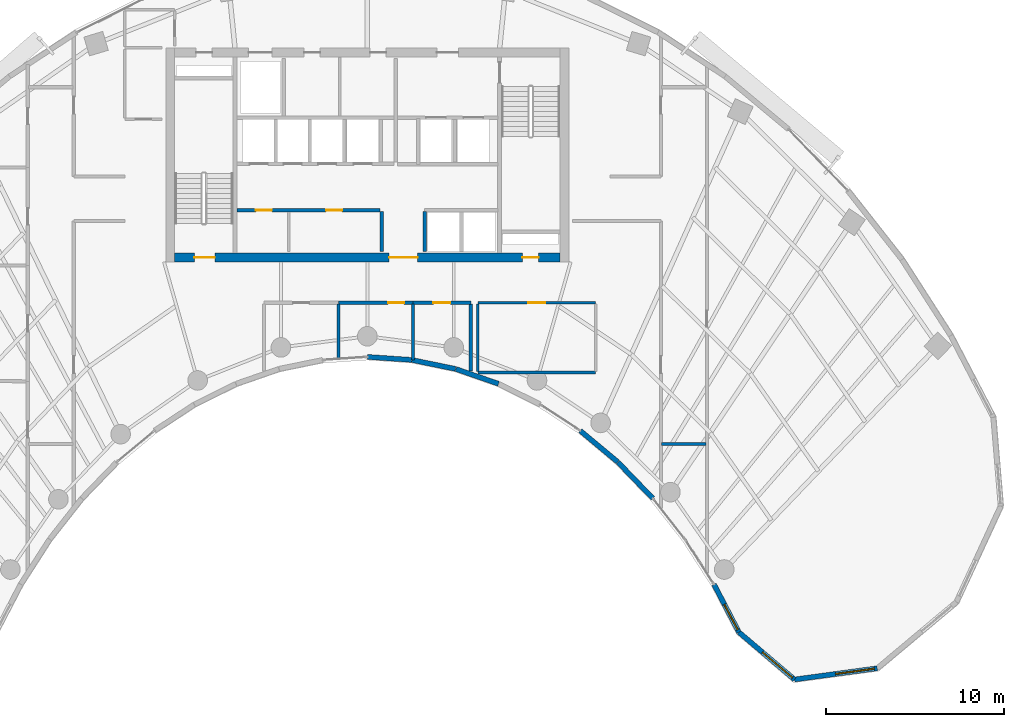
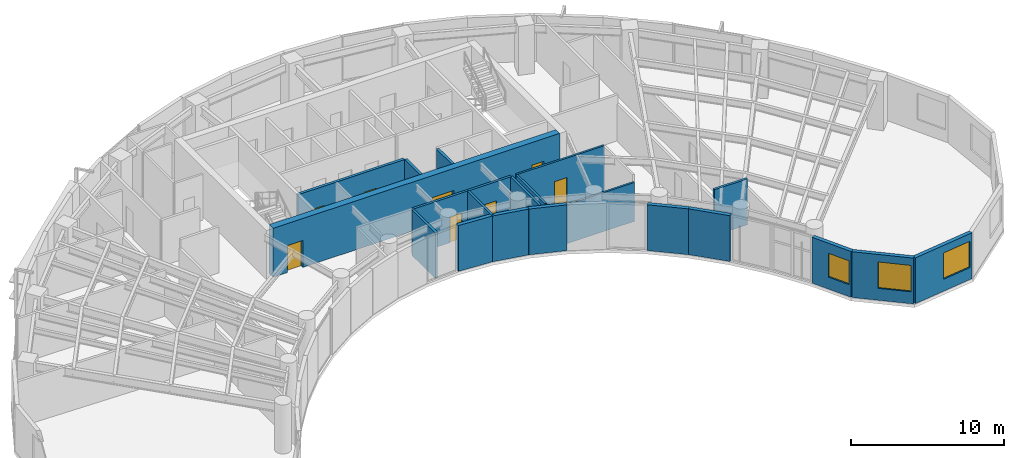
# One storey, part 8 of 13: 21 walls, 8 doors, 3 windows, 11 openings.
"""IFC4 building model written with IfcOpenShell, lengths in metres."""

from ifc_helpers import new_model, si_unit, direction, frame, frame_2d, origin, place, context, subcontext, project, spatial, rectangle, extrude, source, transform, mapped, material, layer, layer_set, type_object, type_shapes, element, fill, save


model = new_model("IFC4")

# Units and contexts
model_context = context("Model", 3, precision=1e-05, world=origin(), true_north=direction((0.0, 1.0)))
body_context = subcontext(model_context, "Body", "Model", "MODEL_VIEW")
ifc_project = project(units=[si_unit("LENGTHUNIT", "METRE"), si_unit("AREAUNIT", "SQUARE_METRE"), si_unit("VOLUMEUNIT", "CUBIC_METRE"), si_unit("PLANEANGLEUNIT", "RADIAN"), si_unit("MASSUNIT", "GRAM", prefix="KILO")], contexts=[model_context])

# Site, building, storey
site_placement = place(None, origin())
site = spatial("IfcSite", under=ifc_project, at=site_placement, CompositionType="ELEMENT")
building_placement = place(site_placement, origin())
building = spatial("IfcBuilding", under=site, at=building_placement, Name="Breltana Convention Tower", CompositionType="ELEMENT")
storey_placement = place(building_placement, frame((0.0, 0.0, 170.10009765625)))
storey = spatial("IfcBuildingStorey", under=building, at=storey_placement, Name="L41", CompositionType="ELEMENT", Elevation=170.10009765625)

# Wall, openings, doors
ifc_material_1 = material(Name="Concrete C60/75", Category="concrete")
ifc_layer_1 = layer(ifc_material_1, 0.5, Name="Concrete C60/75")
ifc_layer_set_1 = layer_set([ifc_layer_1], Name="Concrete C60/75")
wall_type_1 = type_object("IfcWallType", Name="SW-CORE-500", PredefinedType="SHEAR", material=ifc_layer_set_1)
shared_shape_1 = source(origin(), body_context, "Body", "SweptSolid", [
    extrude(rectangle(XDim=21.60009765625, YDim=0.5, at=frame_2d((10.800048828125, 0.0))), origin(), (0.0, 0.0, 1.0), 3.89990234375),
])
wall_1_placement = place(storey_placement, frame((37.199951171875, 60.449951171875, 0.0), z_axis=(0.0, 0.0, 1.0), x_axis=(1.0, 0.0, 0.0)))
wall_1 = element("IfcWall", 1, at=wall_1_placement, inside=storey, type_object=wall_type_1, Name="L41 South Core Shear Wall", PredefinedType="SHEAR", context=body_context, shape_type="MappedRepresentation", body=[
    mapped(shared_shape_1, transform((0.0, 0.0, 0.0), scale=1.0)),
])
opening_1_placement = place(wall_1_placement, frame((1.10009765625, 0.0, 0.0)))
opening_1 = element("IfcOpeningElement", 2, at=opening_1_placement, cuts=wall_1, Name="Opening D-11", PredefinedType="OPENING", context=body_context, shape_type="SweptSolid", body=[
    extrude(rectangle(XDim=1.14990234375, YDim=2.14990234375, at=frame_2d((0.574951171875, 1.074951171875))), frame((0.0, 0.260009765625, 0.0), z_axis=(0.0, -1.0, 0.0), x_axis=(1.0, 0.0, 0.0)), (0.0, 0.0, 1.0), 0.52001953125),
])
opening_2_placement = place(wall_1_placement, frame((19.5, 0.0, 0.0)))
opening_2 = element("IfcOpeningElement", 3, at=opening_2_placement, cuts=wall_1, Name="Opening D-18", PredefinedType="OPENING", context=body_context, shape_type="SweptSolid", body=[
    extrude(rectangle(XDim=0.89990234375, YDim=2.10009765625, at=frame_2d((0.449951171875, 1.050048828125))), frame((0.0, 0.260009765625, 0.0), z_axis=(0.0, -1.0, 0.0), x_axis=(1.0, 0.0, 0.0)), (0.0, 0.0, 1.0), 0.52001953125),
])
opening_3_placement = place(wall_1_placement, frame((12.02001953125, 0.0, 0.0)))
opening_3 = element("IfcOpeningElement", 4, at=opening_3_placement, cuts=wall_1, Name="Opening D-02", PredefinedType="OPENING", context=body_context, shape_type="SweptSolid", body=[
    extrude(rectangle(XDim=1.60009765625, YDim=2.14990234375, at=frame_2d((0.800048828125, 1.074951171875))), frame((0.0, 0.260009765625, 0.0), z_axis=(0.0, -1.0, 0.0), x_axis=(1.0, 0.0, 0.0)), (0.0, 0.0, 1.0), 0.52001953125),
])
ifc_material_2 = material(Name="Steel Stair Exit Door", Category="steel")
door_type_1 = type_object("IfcDoorType", Name="DR-FD120-1150", OperationType="NOTDEFINED", PredefinedType="DOOR", material=ifc_material_2)
shared_shape_2 = source(origin(), body_context, "Body", "SweptSolid", [
    extrude(rectangle(XDim=1.14990234375, YDim=2.14990234375, at=frame_2d((0.574951171875, 1.074951171875))), frame((0.0, 0.02490234375, 0.0), z_axis=(0.0, -1.0, 0.0), x_axis=(1.0, 0.0, 0.0)), (0.0, 0.0, 1.0), 0.050048828125),
])
type_shapes(door_type_1, [shared_shape_2])
door_1_placement = place(opening_1_placement, origin())
door_1 = element("IfcDoor", 5, at=door_1_placement, inside=storey, type_object=door_type_1, Name="L41 interior door D-L41-ST1", OperationType="SINGLE_SWING_LEFT", OverallHeight=2.14990234375, OverallWidth=1.14990234375, PredefinedType="DOOR", context=body_context, shape_type="MappedRepresentation", body=[
    mapped(shared_shape_2, transform((0.0, 0.0, 0.0), scale=1.0)),
])
fill(opening_1, door_1)
ifc_material_3 = material(Name="Steel Riser Fire Door", Category="steel")
door_type_2 = type_object("IfcDoorType", Name="DR-FD60-900", OperationType="NOTDEFINED", PredefinedType="DOOR", material=ifc_material_3)
shared_shape_3 = source(origin(), body_context, "Body", "SweptSolid", [
    extrude(rectangle(XDim=0.89990234375, YDim=2.10009765625, at=frame_2d((0.449951171875, 1.050048828125))), frame((0.0, 0.02490234375, 0.0), z_axis=(0.0, -1.0, 0.0), x_axis=(1.0, 0.0, 0.0)), (0.0, 0.0, 1.0), 0.050048828125),
])
type_shapes(door_type_2, [shared_shape_3])
door_2_placement = place(opening_2_placement, origin())
door_2 = element("IfcDoor", 6, at=door_2_placement, inside=storey, type_object=door_type_2, Name="L41 Core Riser Access Door D-L41-RS2", OperationType="SINGLE_SWING_RIGHT", OverallHeight=2.10009765625, OverallWidth=0.89990234375, PredefinedType="DOOR", context=body_context, shape_type="MappedRepresentation", body=[
    mapped(shared_shape_3, transform((0.0, 0.0, 0.0), scale=1.0)),
])
fill(opening_2, door_2)
ifc_material_4 = material(Name="Steel Glazed Smoke-Control Door", Category="steel")
door_type_3 = type_object("IfcDoorType", Name="DR-DBL-FD90-1600", OperationType="DOUBLE_DOOR_SINGLE_SWING", PredefinedType="DOOR", material=ifc_material_4)
shared_shape_4 = source(origin(), body_context, "Body", "SweptSolid", [
    extrude(rectangle(XDim=1.60009765625, YDim=2.14990234375, at=frame_2d((0.800048828125, 1.074951171875))), frame((0.0, 0.02490234375, 0.0), z_axis=(0.0, -1.0, 0.0), x_axis=(1.0, 0.0, 0.0)), (0.0, 0.0, 1.0), 0.050048828125),
])
type_shapes(door_type_3, [shared_shape_4])
door_3_placement = place(opening_3_placement, origin())
door_3 = element("IfcDoor", 7, at=door_3_placement, inside=storey, type_object=door_type_3, Name="L41 interior door D-L41-LLB-S", OperationType="DOUBLE_DOOR_SINGLE_SWING", OverallHeight=2.14990234375, OverallWidth=1.60009765625, PredefinedType="DOOR", context=body_context, shape_type="MappedRepresentation", body=[
    mapped(shared_shape_4, transform((0.0, 0.0, 0.0), scale=1.0)),
])
fill(opening_3, door_3)

# Wall, opening, window
ifc_material_5 = material(Name="Limestone Buff Insulated Wall", Category="masonry")
ifc_layer_2 = layer(ifc_material_5, 0.280029296875, Name="Limestone Buff Insulated Wall")
ifc_layer_set_2 = layer_set([ifc_layer_2], Name="Limestone Buff Insulated Wall")
wall_type_2 = type_object("IfcWallType", Name="WL-EXT-NOSE-280", PredefinedType="SOLIDWALL", material=ifc_layer_set_2)
shared_shape_5 = source(origin(), body_context, "Body", "SweptSolid", [
    extrude(rectangle(XDim=4.680419921875, YDim=0.280029296875, at=frame_2d((2.34033203125, 0.0))), origin(), (0.0, 0.0, 1.0), 3.64990234375),
])
wall_2_placement = place(storey_placement, frame((76.594482421875, 37.41650390625, 0.0), z_axis=(0.0, 0.0, 1.0), x_axis=(-0.990931146435, -0.134370618162, 0.0)))
wall_2 = element("IfcWall", 8, at=wall_2_placement, inside=storey, type_object=wall_type_2, Name="L41 curved limestone nose wall E4", PredefinedType="SOLIDWALL", context=body_context, shape_type="MappedRepresentation", body=[
    mapped(shared_shape_5, transform((0.0, 0.0, 0.0), scale=1.0)),
])
opening_4_placement = place(wall_2_placement, frame((0.159912109375, 0.0, 0.949951171875)))
opening_4 = element("IfcOpeningElement", 9, at=opening_4_placement, cuts=wall_2, Name="Opening W-03", PredefinedType="OPENING", context=body_context, shape_type="SweptSolid", body=[
    extrude(rectangle(XDim=2.199951171875, YDim=2.10009765625, at=frame_2d((1.10009765625, 1.050048828125))), frame((0.0, 0.14990234375, 0.0), z_axis=(0.0, -1.0, 0.0), x_axis=(1.0, 0.0, 0.0)), (0.0, 0.0, 1.0), 0.300048828125),
])
ifc_material_6 = material(Name="Glass Low-E Insulated Window", Category="glass")
window_type_1 = type_object("IfcWindowType", Name="WN-NOSE-2200X2100", PartitioningType="TRIPLE_PANEL_VERTICAL", PredefinedType="WINDOW", material=ifc_material_6)
shared_shape_6 = source(origin(), body_context, "Body", "SweptSolid", [
    extrude(rectangle(XDim=2.199951171875, YDim=2.10009765625, at=frame_2d((1.10009765625, 1.050048828125))), frame((0.0, 0.030029296875, 0.0), z_axis=(0.0, -1.0, 0.0), x_axis=(1.0, 0.0, 0.0)), (0.0, 0.0, 1.0), 0.06005859375),
])
type_shapes(window_type_1, [shared_shape_6])
window_1_placement = place(opening_4_placement, origin())
window_1 = element("IfcWindow", 10, at=window_1_placement, inside=storey, type_object=window_type_1, Name="L41 nose window E4", OverallHeight=2.10009765625, OverallWidth=2.199951171875, PartitioningType="TRIPLE_PANEL_VERTICAL", PredefinedType="WINDOW", context=body_context, shape_type="MappedRepresentation", body=[
    mapped(shared_shape_6, transform((0.0, 0.0, 0.0), scale=1.0)),
])
fill(opening_4, window_1)

shared_shape_7 = source(origin(), body_context, "Body", "SweptSolid", [
    extrude(rectangle(XDim=4.095947265625, YDim=0.280029296875, at=frame_2d((2.0478515625, 0.0))), origin(), (0.0, 0.0, 1.0), 3.64990234375),
])
wall_3_placement = place(storey_placement, frame((71.95654296875, 36.78759765625, 0.0), z_axis=(0.0, 0.0, 1.0), x_axis=(-0.761926081737, 0.647663991564, 0.0)))
wall_3 = element("IfcWall", 11, at=wall_3_placement, inside=storey, type_object=wall_type_2, Name="L41 curved limestone nose wall E5", PredefinedType="SOLIDWALL", context=body_context, shape_type="MappedRepresentation", body=[
    mapped(shared_shape_7, transform((0.0, 0.0, 0.0), scale=1.0)),
])
opening_5_placement = place(wall_3_placement, frame((0.159912109375, 0.0, 0.949951171875)))
opening_5 = element("IfcOpeningElement", 12, at=opening_5_placement, cuts=wall_3, Name="Opening W-03", PredefinedType="OPENING", context=body_context, shape_type="SweptSolid", body=[
    extrude(rectangle(XDim=2.199951171875, YDim=2.10009765625, at=frame_2d((1.10009765625, 1.050048828125))), frame((0.0, 0.14990234375, 0.0), z_axis=(0.0, -1.0, 0.0), x_axis=(1.0, 0.0, 0.0)), (0.0, 0.0, 1.0), 0.300048828125),
])
window_2_placement = place(opening_5_placement, origin())
window_2 = element("IfcWindow", 13, at=window_2_placement, inside=storey, type_object=window_type_1, Name="L41 nose window E5", OverallHeight=2.10009765625, OverallWidth=2.199951171875, PartitioningType="TRIPLE_PANEL_VERTICAL", PredefinedType="WINDOW", context=body_context, shape_type="MappedRepresentation", body=[
    mapped(shared_shape_6, transform((0.0, 0.0, 0.0), scale=1.0)),
])
fill(opening_5, window_2)

shared_shape_8 = source(origin(), body_context, "Body", "SweptSolid", [
    extrude(rectangle(XDim=3.02392578125, YDim=0.280029296875, at=frame_2d((1.511962890625, 0.0))), origin(), (0.0, 0.0, 1.0), 3.64990234375),
])
wall_4_placement = place(storey_placement, frame((68.835693359375, 39.4404296875, 0.0), z_axis=(0.0, 0.0, 1.0), x_axis=(-0.461718746531, 0.887026380161, 0.0)))
wall_4 = element("IfcWall", 14, at=wall_4_placement, inside=storey, type_object=wall_type_2, Name="L41 curved limestone nose wall E6", PredefinedType="SOLIDWALL", context=body_context, shape_type="MappedRepresentation", body=[
    mapped(shared_shape_8, transform((0.0, 0.0, 0.0), scale=1.0)),
])
opening_6_placement = place(wall_4_placement, frame((0.159912109375, 0.0, 0.949951171875)))
opening_6 = element("IfcOpeningElement", 15, at=opening_6_placement, cuts=wall_4, Name="Opening W-04", PredefinedType="OPENING", context=body_context, shape_type="SweptSolid", body=[
    extrude(rectangle(XDim=1.60009765625, YDim=1.89990234375, at=frame_2d((0.800048828125, 0.949951171875))), frame((0.0, 0.14990234375, 0.0), z_axis=(0.0, -1.0, 0.0), x_axis=(1.0, 0.0, 0.0)), (0.0, 0.0, 1.0), 0.300048828125),
])
window_type_2 = type_object("IfcWindowType", Name="WN-NOSE-1600X1900", PartitioningType="SINGLE_PANEL", PredefinedType="WINDOW", material=ifc_material_6)
shared_shape_9 = source(origin(), body_context, "Body", "SweptSolid", [
    extrude(rectangle(XDim=1.60009765625, YDim=1.89990234375, at=frame_2d((0.800048828125, 0.949951171875))), frame((0.0, 0.030029296875, 0.0), z_axis=(0.0, -1.0, 0.0), x_axis=(1.0, 0.0, 0.0)), (0.0, 0.0, 1.0), 0.06005859375),
])
type_shapes(window_type_2, [shared_shape_9])
window_3_placement = place(opening_6_placement, origin())
window_3 = element("IfcWindow", 16, at=window_3_placement, inside=storey, type_object=window_type_2, Name="L41 nose window E6", OverallHeight=1.89990234375, OverallWidth=1.60009765625, PartitioningType="SINGLE_PANEL", PredefinedType="WINDOW", context=body_context, shape_type="MappedRepresentation", body=[
    mapped(shared_shape_9, transform((0.0, 0.0, 0.0), scale=1.0)),
])
fill(opening_6, window_3)

# Walls
shared_shape_10 = source(origin(), body_context, "Body", "SweptSolid", [
    extrude(rectangle(XDim=2.812255859375, YDim=0.280029296875, at=frame_2d((1.40625, 0.0))), origin(), (0.0, 0.0, 1.0), 3.64990234375),
])
wall_5_placement = place(storey_placement, frame((64.00830078125, 46.9501953125, 0.0), z_axis=(0.0, 0.0, 1.0), x_axis=(-0.694583668785, 0.719411931411, 0.0)))
element("IfcWall", 17, at=wall_5_placement, inside=storey, type_object=wall_type_2, Name="L41 curved limestone nose wall E7", PredefinedType="SOLIDWALL", context=body_context, shape_type="MappedRepresentation", body=[
    mapped(shared_shape_10, transform((0.0, 0.0, 0.0), scale=1.0)),
])
shared_shape_11 = source(origin(), body_context, "Body", "SweptSolid", [
    extrude(rectangle(XDim=2.7294921875, YDim=0.280029296875, at=frame_2d((1.36474609375, 0.0))), origin(), (0.0, 0.0, 1.0), 3.64990234375),
])
wall_6_placement = place(storey_placement, frame((62.040771484375, 48.986572265625, 0.0), z_axis=(0.0, 0.0, 1.0), x_axis=(-0.767957284255, 0.640501061326, 0.0)))
element("IfcWall", 18, at=wall_6_placement, inside=storey, type_object=wall_type_2, Name="L41 curved limestone nose wall E8", PredefinedType="SOLIDWALL", context=body_context, shape_type="MappedRepresentation", body=[
    mapped(shared_shape_11, transform((0.0, 0.0, 0.0), scale=1.0)),
])
shared_shape_12 = source(origin(), body_context, "Body", "SweptSolid", [
    extrude(rectangle(XDim=2.52978515625, YDim=0.280029296875, at=frame_2d((1.264892578125, 0.0))), origin(), (0.0, 0.0, 1.0), 3.64990234375),
])
wall_7_placement = place(storey_placement, frame((55.35546875, 53.369873046875, 0.0), z_axis=(0.0, 0.0, 1.0), x_axis=(-0.944872429646, 0.327438683872, 0.0)))
element("IfcWall", 19, at=wall_7_placement, inside=storey, type_object=wall_type_2, Name="L41 curved limestone nose wall E10", PredefinedType="SOLIDWALL", context=body_context, shape_type="MappedRepresentation", body=[
    mapped(shared_shape_12, transform((0.0, 0.0, 0.0), scale=1.0)),
])
shared_shape_13 = source(origin(), body_context, "Body", "SweptSolid", [
    extrude(rectangle(XDim=2.4912109375, YDim=0.280029296875, at=frame_2d((1.24560546875, 0.0))), origin(), (0.0, 0.0, 1.0), 3.64990234375),
])
wall_8_placement = place(storey_placement, frame((52.9423828125, 54.20458984375, 0.0), z_axis=(0.0, 0.0, 1.0), x_axis=(-0.979630885979, 0.200806691214, 0.0)))
element("IfcWall", 20, at=wall_8_placement, inside=storey, type_object=wall_type_2, Name="L41 curved limestone nose wall E11", PredefinedType="SOLIDWALL", context=body_context, shape_type="MappedRepresentation", body=[
    mapped(shared_shape_13, transform((0.0, 0.0, 0.0), scale=1.0)),
])
shared_shape_14 = source(origin(), body_context, "Body", "SweptSolid", [
    extrude(rectangle(XDim=2.471435546875, YDim=0.280029296875, at=frame_2d((1.23583984375, 0.0))), origin(), (0.0, 0.0, 1.0), 3.64990234375),
])
wall_9_placement = place(storey_placement, frame((50.47802734375, 54.708251953125, 0.0), z_axis=(0.0, 0.0, 1.0), x_axis=(-0.997708006929, 0.067666335123, 0.0)))
element("IfcWall", 21, at=wall_9_placement, inside=storey, type_object=wall_type_2, Name="L41 curved limestone nose wall E12", PredefinedType="SOLIDWALL", context=body_context, shape_type="MappedRepresentation", body=[
    mapped(shared_shape_14, transform((0.0, 0.0, 0.0), scale=1.0)),
])
ifc_material_7 = material(Name="Autoclaved Aerated Concrete Block", Category="concrete")
ifc_layer_3 = layer(ifc_material_7, 0.199951171875, Name="Autoclaved Aerated Concrete Block")
ifc_layer_set_3 = layer_set([ifc_layer_3], Name="Autoclaved Aerated Concrete Block")
wall_type_3 = type_object("IfcWallType", Name="WL-SHAFT-200", PredefinedType="SOLIDWALL", material=ifc_layer_set_3)
shared_shape_15 = source(origin(), body_context, "Body", "SweptSolid", [
    extrude(rectangle(XDim=2.239990234375, YDim=0.199951171875, at=frame_2d((1.1201171875, 0.0))), origin(), (0.0, 0.0, 1.0), 3.64990234375),
])
for number, where, z_axis, x_axis, name in (
    (22, (48.820068359375, 60.780029296875, 0.0), (0.0, 0.0, 1.0), (0.0, 1.0, 0.0), "L41 interior partition W-L41-PORT-W"),
    (23, (51.219970703125, 60.780029296875, 0.0), (0.0, 0.0, 1.0), (0.0, 1.0, 0.0), "L41 interior partition W-L41-PORT-E"),
):
    element("IfcWall", number, at=place(storey_placement, frame(where, z_axis=z_axis, x_axis=x_axis)), inside=storey, type_object=wall_type_3, Name=name, PredefinedType="SOLIDWALL", context=body_context, shape_type="MappedRepresentation", body=[
        mapped(shared_shape_15, transform((0.0, 0.0, 0.0), scale=1.0)),
    ])

# Wall, openings, doors
shared_shape_16 = source(origin(), body_context, "Body", "SweptSolid", [
    extrude(rectangle(XDim=8.02001953125, YDim=0.199951171875, at=frame_2d((4.010009765625, 0.0))), origin(), (0.0, 0.0, 1.0), 3.64990234375),
])
wall_10_placement = place(storey_placement, frame((40.699951171875, 63.10009765625, 0.0), z_axis=(0.0, 0.0, 1.0), x_axis=(1.0, 0.0, 0.0)))
wall_10 = element("IfcWall", 24, at=wall_10_placement, inside=storey, type_object=wall_type_3, Name="L41 interior partition W-L41-SH-S-FRONT", PredefinedType="SOLIDWALL", context=body_context, shape_type="MappedRepresentation", body=[
    mapped(shared_shape_16, transform((0.0, 0.0, 0.0), scale=1.0)),
])
opening_7_placement = place(wall_10_placement, frame((1.050048828125, 0.0, 0.0)))
opening_7 = element("IfcOpeningElement", 25, at=opening_7_placement, cuts=wall_10, Name="Opening D-18", PredefinedType="OPENING", context=body_context, shape_type="SweptSolid", body=[
    extrude(rectangle(XDim=0.89990234375, YDim=2.10009765625, at=frame_2d((0.449951171875, 1.050048828125))), frame((0.0, 0.10986328125, 0.0), z_axis=(0.0, -1.0, 0.0), x_axis=(1.0, 0.0, 0.0)), (0.0, 0.0, 1.0), 0.219970703125),
])
opening_8_placement = place(wall_10_placement, frame((4.989990234375, 0.0, 0.0)))
opening_8 = element("IfcOpeningElement", 26, at=opening_8_placement, cuts=wall_10, Name="Opening D-18", PredefinedType="OPENING", context=body_context, shape_type="SweptSolid", body=[
    extrude(rectangle(XDim=0.89990234375, YDim=2.10009765625, at=frame_2d((0.449951171875, 1.050048828125))), frame((0.0, 0.10986328125, 0.0), z_axis=(0.0, -1.0, 0.0), x_axis=(1.0, 0.0, 0.0)), (0.0, 0.0, 1.0), 0.219970703125),
])
door_4_placement = place(opening_7_placement, origin())
door_4 = element("IfcDoor", 27, at=door_4_placement, inside=storey, type_object=door_type_2, Name="L41 interior door D-L41-LV7-B1A", OperationType="SINGLE_SWING_LEFT", OverallHeight=2.10009765625, OverallWidth=0.89990234375, PredefinedType="DOOR", context=body_context, shape_type="MappedRepresentation", body=[
    mapped(shared_shape_3, transform((0.0, 0.0, 0.0), scale=1.0)),
])
fill(opening_7, door_4)
door_5_placement = place(opening_8_placement, origin())
door_5 = element("IfcDoor", 28, at=door_5_placement, inside=storey, type_object=door_type_2, Name="L41 interior door D-L41-LV7-B1B", OperationType="SINGLE_SWING_RIGHT", OverallHeight=2.10009765625, OverallWidth=0.89990234375, PredefinedType="DOOR", context=body_context, shape_type="MappedRepresentation", body=[
    mapped(shared_shape_3, transform((0.0, 0.0, 0.0), scale=1.0)),
])
fill(opening_8, door_5)

# Wall, opening, door
ifc_material_8 = material(Name="Moisture-Resistant Gypsum Chase Wall")
ifc_layer_4 = layer(ifc_material_8, 0.179931640625, Name="Moisture-Resistant Gypsum Chase Wall")
ifc_layer_set_4 = layer_set([ifc_layer_4], Name="Moisture-Resistant Gypsum Chase Wall")
wall_type_4 = type_object("IfcWallType", Name="WL-PLUMB-180", PredefinedType="PLUMBINGWALL", material=ifc_layer_set_4)
shared_shape_17 = source(origin(), body_context, "Body", "SweptSolid", [
    extrude(rectangle(XDim=4.176025390625, YDim=0.179931640625, at=frame_2d((2.087890625, 0.0))), origin(), (0.0, 0.0, 1.0), 3.64990234375),
])
wall_11_placement = place(storey_placement, frame((46.3759765625, 57.919921875, 0.0), z_axis=(0.0, 0.0, 1.0), x_axis=(1.0, 0.0, 0.0)))
wall_11 = element("IfcWall", 29, at=wall_11_placement, inside=storey, type_object=wall_type_4, Name="L41 interior partition W-L41-WCF-N", PredefinedType="PLUMBINGWALL", context=body_context, shape_type="MappedRepresentation", body=[
    mapped(shared_shape_17, transform((0.0, 0.0, 0.0), scale=1.0)),
])
opening_9_placement = place(wall_11_placement, frame((2.7880859375, 0.0, 0.0)))
opening_9 = element("IfcOpeningElement", 30, at=opening_9_placement, cuts=wall_11, Name="Opening D-19", PredefinedType="OPENING", context=body_context, shape_type="SweptSolid", body=[
    extrude(rectangle(XDim=0.89990234375, YDim=2.080078125, at=frame_2d((0.449951171875, 1.0400390625))), frame((0.0, 0.10009765625, 0.0), z_axis=(0.0, -1.0, 0.0), x_axis=(1.0, 0.0, 0.0)), (0.0, 0.0, 1.0), 0.199951171875),
])
ifc_material_9 = material(Name="Timber Moisture-Resistant Door", Category="wood")
door_type_4 = type_object("IfcDoorType", Name="DR-WC-900", OperationType="NOTDEFINED", PredefinedType="DOOR", material=ifc_material_9)
shared_shape_18 = source(origin(), body_context, "Body", "SweptSolid", [
    extrude(rectangle(XDim=0.89990234375, YDim=2.080078125, at=frame_2d((0.449951171875, 1.0400390625))), frame((0.0, 0.02490234375, 0.0), z_axis=(0.0, -1.0, 0.0), x_axis=(1.0, 0.0, 0.0)), (0.0, 0.0, 1.0), 0.050048828125),
])
type_shapes(door_type_4, [shared_shape_18])
door_6_placement = place(opening_9_placement, origin())
door_6 = element("IfcDoor", 31, at=door_6_placement, inside=storey, type_object=door_type_4, Name="L41 interior door D-L41-WCF", OperationType="SINGLE_SWING_RIGHT", OverallHeight=2.080078125, OverallWidth=0.89990234375, PredefinedType="DOOR", context=body_context, shape_type="MappedRepresentation", body=[
    mapped(shared_shape_18, transform((0.0, 0.0, 0.0), scale=1.0)),
])
fill(opening_9, door_6)

# Wall
ifc_material_10 = material(Name="Cement Board Wet-Area Partition")
ifc_layer_5 = layer(ifc_material_10, 0.175048828125, Name="Cement Board Wet-Area Partition")
ifc_layer_set_5 = layer_set([ifc_layer_5], Name="Cement Board Wet-Area Partition")
wall_type_5 = type_object("IfcWallType", Name="WL-WET-175", PredefinedType="PARTITIONING", material=ifc_layer_set_5)
shared_shape_19 = source(origin(), body_context, "Body", "SweptSolid", [
    extrude(rectangle(XDim=3.7626953125, YDim=0.175048828125, at=frame_2d((1.88134765625, 0.0))), origin(), (0.0, 0.0, 1.0), 3.64990234375),
])
wall_12_placement = place(storey_placement, frame((53.800048828125, 54.07861328125, 0.0), z_axis=(0.0, 0.0, 1.0), x_axis=(0.0, 1.0, 0.0)))
element("IfcWall", 32, at=wall_12_placement, inside=storey, type_object=wall_type_5, Name="L41 interior partition W-L41-WCA-E", PredefinedType="PARTITIONING", context=body_context, shape_type="MappedRepresentation", body=[
    mapped(shared_shape_19, transform((0.0, 0.0, 0.0), scale=1.0)),
])

# Wall, opening, door
shared_shape_20 = source(origin(), body_context, "Body", "SweptSolid", [
    extrude(rectangle(XDim=3.248046875, YDim=0.179931640625, at=frame_2d((1.6240234375, 0.0))), origin(), (0.0, 0.0, 1.0), 3.64990234375),
])
wall_13_placement = place(storey_placement, frame((50.552001953125, 57.919921875, 0.0), z_axis=(0.0, 0.0, 1.0), x_axis=(1.0, 0.0, 0.0)))
wall_13 = element("IfcWall", 33, at=wall_13_placement, inside=storey, type_object=wall_type_4, Name="L41 interior partition W-L41-WCA-N", PredefinedType="PLUMBINGWALL", context=body_context, shape_type="MappedRepresentation", body=[
    mapped(shared_shape_20, transform((0.0, 0.0, 0.0), scale=1.0)),
])
opening_10_placement = place(wall_13_placement, frame((1.14892578125, 0.0, 0.0)))
opening_10 = element("IfcOpeningElement", 34, at=opening_10_placement, cuts=wall_13, Name="Opening D-16", PredefinedType="OPENING", context=body_context, shape_type="SweptSolid", body=[
    extrude(rectangle(XDim=0.949951171875, YDim=2.1201171875, at=frame_2d((0.47509765625, 1.06005859375))), frame((0.0, 0.10009765625, 0.0), z_axis=(0.0, -1.0, 0.0), x_axis=(1.0, 0.0, 0.0)), (0.0, 0.0, 1.0), 0.199951171875),
])
ifc_material_11 = material(Name="Timber Laminate Accessible Door", Category="wood")
door_type_5 = type_object("IfcDoorType", Name="DR-ACC-950", OperationType="NOTDEFINED", PredefinedType="DOOR", material=ifc_material_11)
shared_shape_21 = source(origin(), body_context, "Body", "SweptSolid", [
    extrude(rectangle(XDim=0.949951171875, YDim=2.1201171875, at=frame_2d((0.47509765625, 1.06005859375))), frame((0.0, 0.02490234375, 0.0), z_axis=(0.0, -1.0, 0.0), x_axis=(1.0, 0.0, 0.0)), (0.0, 0.0, 1.0), 0.050048828125),
])
type_shapes(door_type_5, [shared_shape_21])
door_7_placement = place(opening_10_placement, origin())
door_7 = element("IfcDoor", 35, at=door_7_placement, inside=storey, type_object=door_type_5, Name="L41 interior door D-L41-WCA", OperationType="SINGLE_SWING_LEFT", OverallHeight=2.1201171875, OverallWidth=0.949951171875, PredefinedType="DOOR", context=body_context, shape_type="MappedRepresentation", body=[
    mapped(shared_shape_21, transform((0.0, 0.0, 0.0), scale=1.0)),
])
fill(opening_10, door_7)

# Wall
ifc_material_12 = material(Name="Gypsum Acoustic Drywall Partition")
ifc_layer_6 = layer(ifc_material_12, 0.14990234375, Name="Gypsum Acoustic Drywall Partition")
ifc_layer_set_6 = layer_set([ifc_layer_6], Name="Gypsum Acoustic Drywall Partition")
wall_type_6 = type_object("IfcWallType", Name="WL-PART-150", PredefinedType="PARTITIONING", material=ifc_layer_set_6)
shared_shape_22 = source(origin(), body_context, "Body", "SweptSolid", [
    extrude(rectangle(XDim=6.60009765625, YDim=0.14990234375, at=frame_2d((3.300048828125, 0.0))), origin(), (0.0, 0.0, 1.0), 3.094970703125),
])
wall_14_placement = place(storey_placement, frame((54.199951171875, 54.0, 0.0), z_axis=(0.0, 0.0, 1.0), x_axis=(1.0, 0.0, 0.0)))
element("IfcWall", 36, at=wall_14_placement, inside=storey, type_object=wall_type_6, Name="L41 interior partition W-L41-PNT-S", PredefinedType="PARTITIONING", context=body_context, shape_type="MappedRepresentation", body=[
    mapped(shared_shape_22, transform((0.0, 0.0, 0.0), scale=1.0)),
])

# Wall, opening, door
shared_shape_23 = source(origin(), body_context, "Body", "SweptSolid", [
    extrude(rectangle(XDim=6.60009765625, YDim=0.14990234375, at=frame_2d((3.300048828125, 0.0))), origin(), (0.0, 0.0, 1.0), 3.64990234375),
])
wall_15_placement = place(storey_placement, frame((54.199951171875, 57.919921875, 0.0), z_axis=(0.0, 0.0, 1.0), x_axis=(1.0, 0.0, 0.0)))
wall_15 = element("IfcWall", 37, at=wall_15_placement, inside=storey, type_object=wall_type_6, Name="L41 interior partition W-L41-PNT-N", PredefinedType="PARTITIONING", context=body_context, shape_type="MappedRepresentation", body=[
    mapped(shared_shape_23, transform((0.0, 0.0, 0.0), scale=1.0)),
])
opening_11_placement = place(wall_15_placement, frame((2.824951171875, 0.0, 0.0)))
opening_11 = element("IfcOpeningElement", 38, at=opening_11_placement, cuts=wall_15, Name="Opening D-17", PredefinedType="OPENING", context=body_context, shape_type="SweptSolid", body=[
    extrude(rectangle(XDim=0.949951171875, YDim=2.10009765625, at=frame_2d((0.47509765625, 1.050048828125))), frame((0.0, 0.0849609375, 0.0), z_axis=(0.0, -1.0, 0.0), x_axis=(1.0, 0.0, 0.0)), (0.0, 0.0, 1.0), 0.169921875),
])
ifc_material_13 = material(Name="Timber Oak Veneer Door", Category="wood")
door_type_6 = type_object("IfcDoorType", Name="DR-INT-950", OperationType="NOTDEFINED", PredefinedType="DOOR", material=ifc_material_13)
shared_shape_24 = source(origin(), body_context, "Body", "SweptSolid", [
    extrude(rectangle(XDim=0.949951171875, YDim=2.10009765625, at=frame_2d((0.47509765625, 1.050048828125))), frame((0.0, 0.02490234375, 0.0), z_axis=(0.0, -1.0, 0.0), x_axis=(1.0, 0.0, 0.0)), (0.0, 0.0, 1.0), 0.050048828125),
])
type_shapes(door_type_6, [shared_shape_24])
door_8_placement = place(opening_11_placement, origin())
door_8 = element("IfcDoor", 39, at=door_8_placement, inside=storey, type_object=door_type_6, Name="L41 interior door D-L41-PNT", OperationType="SINGLE_SWING_RIGHT", OverallHeight=2.10009765625, OverallWidth=0.949951171875, PredefinedType="DOOR", context=body_context, shape_type="MappedRepresentation", body=[
    mapped(shared_shape_24, transform((0.0, 0.0, 0.0), scale=1.0)),
])
fill(opening_11, door_8)

# Walls
shared_shape_25 = source(origin(), body_context, "Body", "SweptSolid", [
    extrude(rectangle(XDim=3.78515625, YDim=0.14990234375, at=frame_2d((1.892578125, 0.0))), origin(), (0.0, 0.0, 1.0), 3.64990234375),
])
wall_16_placement = place(storey_placement, frame((54.199951171875, 54.0673828125, 0.0), z_axis=(0.0, 0.0, 1.0), x_axis=(0.0, 1.0, 0.0)))
element("IfcWall", 40, at=wall_16_placement, inside=storey, type_object=wall_type_6, Name="L41 interior partition W-L41-PNT-W", PredefinedType="PARTITIONING", context=body_context, shape_type="MappedRepresentation", body=[
    mapped(shared_shape_25, transform((0.0, 0.0, 0.0), scale=1.0)),
])
shared_shape_26 = source(origin(), body_context, "Body", "SweptSolid", [
    extrude(rectangle(XDim=3.065185546875, YDim=0.175048828125, at=frame_2d((1.53271484375, 0.0))), origin(), (0.0, 0.0, 1.0), 3.64990234375),
])
wall_17_placement = place(storey_placement, frame((46.3759765625, 54.776123046875, 0.0), z_axis=(0.0, 0.0, 1.0), x_axis=(0.0, 1.0, 0.0)))
element("IfcWall", 41, at=wall_17_placement, inside=storey, type_object=wall_type_5, Name="L41 interior partition W-L41-WCM-E", PredefinedType="PARTITIONING", context=body_context, shape_type="MappedRepresentation", body=[
    mapped(shared_shape_26, transform((0.0, 0.0, 0.0), scale=1.0)),
])
shared_shape_27 = source(origin(), body_context, "Body", "SweptSolid", [
    extrude(rectangle(XDim=3.136474609375, YDim=0.175048828125, at=frame_2d((1.568359375, 0.0))), origin(), (0.0, 0.0, 1.0), 3.64990234375),
])
wall_18_placement = place(storey_placement, frame((50.552001953125, 54.704833984375, 0.0), z_axis=(0.0, 0.0, 1.0), x_axis=(0.0, 1.0, 0.0)))
element("IfcWall", 42, at=wall_18_placement, inside=storey, type_object=wall_type_5, Name="L41 interior partition W-L41-WCF-E", PredefinedType="PARTITIONING", context=body_context, shape_type="MappedRepresentation", body=[
    mapped(shared_shape_27, transform((0.0, 0.0, 0.0), scale=1.0)),
])
shared_shape_28 = source(origin(), body_context, "Body", "SweptSolid", [
    extrude(rectangle(XDim=2.5, YDim=0.179931640625, at=frame_2d((1.25, 0.0))), origin(), (0.0, 0.0, 1.0), 3.64990234375),
])
wall_19_placement = place(storey_placement, frame((64.5, 50.0, 0.0), z_axis=(0.0, 0.0, 1.0), x_axis=(1.0, 0.0, 0.0)))
element("IfcWall", 43, at=wall_19_placement, inside=storey, type_object=wall_type_4, Name="L41 interior partition W-L41-CORNE-S", PredefinedType="PLUMBINGWALL", context=body_context, shape_type="MappedRepresentation", body=[
    mapped(shared_shape_28, transform((0.0, 0.0, 0.0), scale=1.0)),
])

save(model, "model.ifc")
